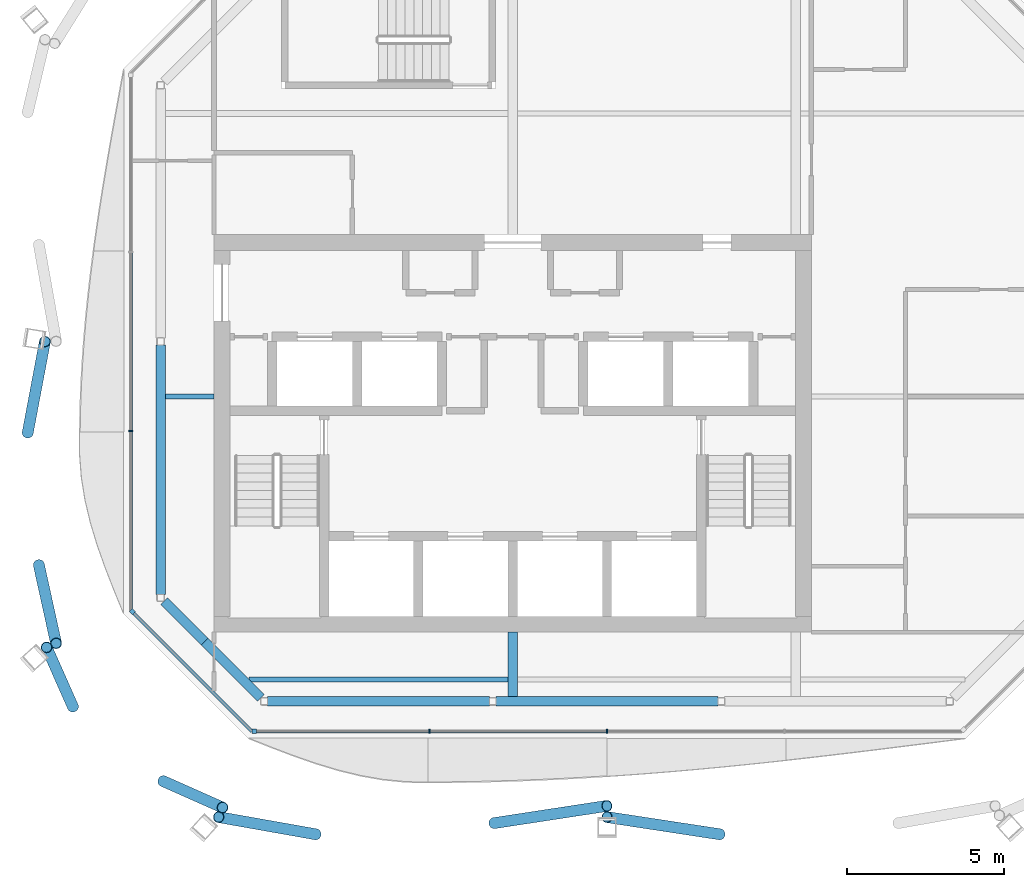
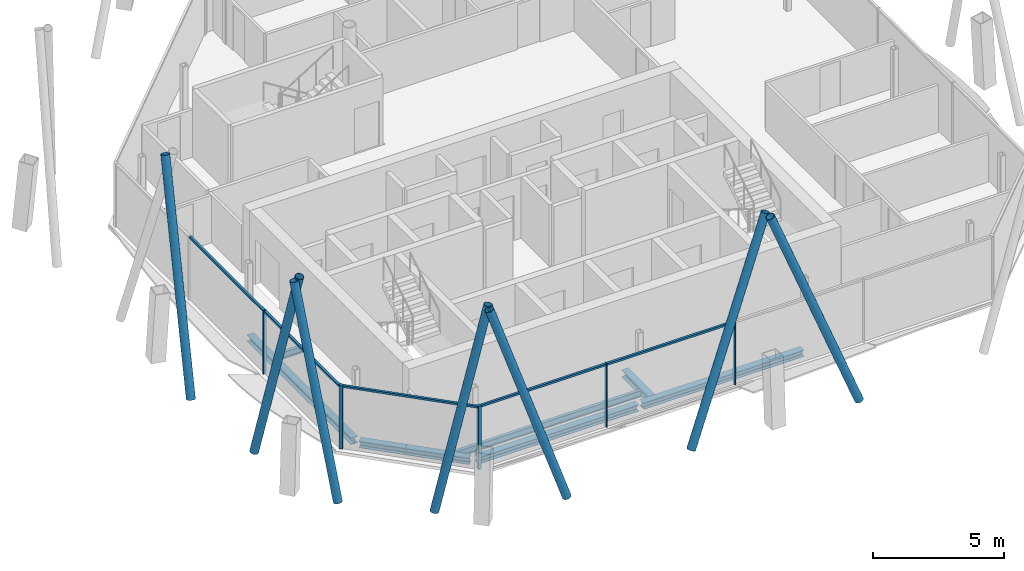
# One storey, part 3 of 14: 17 members, 8 beams, 3 elements without a shape of their own.
"""IFC4 building model written with IfcOpenShell, lengths in metres."""

from ifc_helpers import new_model, si_unit, direction, frame, origin, origin_2d, place, context, subcontext, project, spatial, rectangle, hollow_circle, i_section, extrude, material, material_profile, profile_set, type_object, element, aggregate, save


model = new_model("IFC4")

# Units and contexts
model_context = context("Model", 3, precision=1e-05, world=origin(), true_north=direction((0.0, 1.0)))
body_context = subcontext(model_context, "Body", "Model", "MODEL_VIEW")
ifc_project = project(units=[si_unit("LENGTHUNIT", "METRE"), si_unit("AREAUNIT", "SQUARE_METRE"), si_unit("VOLUMEUNIT", "CUBIC_METRE"), si_unit("PLANEANGLEUNIT", "RADIAN"), si_unit("MASSUNIT", "GRAM", prefix="KILO")], contexts=[model_context])

# Site, building, storey
site_placement = place(None, origin())
site = spatial("IfcSite", under=ifc_project, at=site_placement, CompositionType="ELEMENT")
building_placement = place(site_placement, origin())
building = spatial("IfcBuilding", under=site, at=building_placement, Name="Tskaro Facet Tower", CompositionType="ELEMENT")
storey_placement = place(building_placement, frame((0.0, 0.0, 287.85009765625)))
storey = spatial("IfcBuildingStorey", under=building, at=storey_placement, Name="L77", CompositionType="ELEMENT", Elevation=287.85009765625)

# Members
ifc_material_1 = material(Name="Steel S355J2H", Category="steel")
ifc_material_profile_1 = material_profile(ifc_material_1, hollow_circle(Radius=0.177734375, WallThickness=0.01611328125, at=origin_2d()), Name="CHS 355.6x16")
ifc_profile_set_1 = profile_set([ifc_material_profile_1], Name="Steel S355J2H")
member_type_1 = type_object("IfcMemberType", Name="CHS 355.6x16 brace", PredefinedType="BRACE", material=ifc_profile_set_1)
member_1_placement = place(storey_placement, frame((-0.5888671875, -18.072021484375, 0.0), z_axis=(0.3545147062, 0.05411775515, 0.933483043052), x_axis=(-0.150904921329, 0.98854828143, 0.0)))
element("IfcMember", 1, at=member_1_placement, inside=storey, type_object=member_type_1, Name="CHS 355.6x16 XB01A/6", PredefinedType="BRACE", context=body_context, shape_type="SweptSolid", body=[
    extrude(hollow_circle(Radius=0.177734375, WallThickness=0.01611328125, at=origin_2d()), origin(), (0.0, 0.0, 1.0), 10.123291015625),
])
member_2_placement = place(storey_placement, frame((-6.265380859375, -18.427490234375, 0.0), z_axis=(-0.310197408472, 0.054997453735, 0.949080000769), x_axis=(-0.174575605168, -0.984643772174, 0.0)))
element("IfcMember", 2, at=member_2_placement, inside=storey, type_object=member_type_1, Name="CHS 355.6x16 XB01B/6", PredefinedType="BRACE", context=body_context, shape_type="SweptSolid", body=[
    extrude(hollow_circle(Radius=0.177734375, WallThickness=0.01611328125, at=origin_2d()), origin(), (0.0, 0.0, 1.0), 9.95703125),
])
member_3_placement = place(storey_placement, frame((6.5888671875, -18.427490234375, 0.0), z_axis=(-0.354515168788, 0.054093709088, 0.933484261108), x_axis=(-0.150839203541, -0.988558311216, 0.0)))
element("IfcMember", 3, at=member_3_placement, inside=storey, type_object=member_type_1, Name="CHS 355.6x16 XB02B/6", PredefinedType="BRACE", context=body_context, shape_type="SweptSolid", body=[
    extrude(hollow_circle(Radius=0.177734375, WallThickness=0.01611328125, at=origin_2d()), origin(), (0.0, 0.0, 1.0), 10.123291015625),
])
member_4_placement = place(storey_placement, frame((-15.072021484375, -9.863525390625, 0.0), z_axis=(0.05597197434, -0.254443008127, 0.965466671462), x_axis=(0.976648886415, 0.2148416921, 0.0)))
element("IfcMember", 4, at=member_4_placement, inside=storey, type_object=member_type_1, Name="CHS 355.6x16 XB11A/6", PredefinedType="BRACE", context=body_context, shape_type="SweptSolid", body=[
    extrude(hollow_circle(Radius=0.177734375, WallThickness=0.01611328125, at=origin_2d()), origin(), (0.0, 0.0, 1.0), 9.787841796875),
])
member_5_placement = place(storey_placement, frame((-15.427490234375, -5.6513671875, 0.0), z_axis=(0.055311233561, 0.293053365866, 0.954494836129), x_axis=(-0.982650566439, 0.185466612296, 0.0)))
element("IfcMember", 5, at=member_5_placement, inside=storey, type_object=member_type_1, Name="CHS 355.6x16 XB11B/6", PredefinedType="BRACE", context=body_context, shape_type="SweptSolid", body=[
    extrude(hollow_circle(Radius=0.177734375, WallThickness=0.01611328125, at=origin_2d()), origin(), (0.0, 0.0, 1.0), 9.900390625),
])
for number, where, z_axis, x_axis, name in (
    (6, (-11.113037109375, -16.739501953125, 0.0), (0.194861626099, -0.08650139801, 0.977008932823), (0.40573198476, 0.913992098731, 0.0), "CHS 355.6x16 XB12A/6"),
    (7, (-13.990966796875, -14.364501953125, 0.0), (-0.08650139801, 0.194861626099, 0.977008932823), (-0.913992098731, -0.40573198476, 0.0), "CHS 355.6x16 XB12B/6"),
):
    element("IfcMember", number, at=place(storey_placement, frame(where, z_axis=z_axis, x_axis=x_axis)), inside=storey, type_object=member_type_1, Name=name, PredefinedType="BRACE", context=body_context, shape_type="SweptSolid", body=[
        extrude(hollow_circle(Radius=0.177734375, WallThickness=0.01611328125, at=origin_2d()), origin(), (0.0, 0.0, 1.0), 9.67236328125),
    ])

# Curtain wall, member
ifc_material_2 = material(Name="Bronze anodised aluminium 6063-T6", Category="aluminium")
curtain_wall_type = type_object("IfcCurtainWallType", Name="Bronze residence curtain wall (FW3)", PredefinedType="NOTDEFINED", material=ifc_material_2)
curtain_wall_1_placement = place(storey_placement, origin())
curtain_wall_1 = element("IfcCurtainWall", 8, at=curtain_wall_1_placement, inside=storey, type_object=curtain_wall_type, Name="FW3 south facet L77", PredefinedType="NOTDEFINED")
ifc_material_profile_2 = material_profile(ifc_material_2, rectangle(XDim=0.139892578125, YDim=0.139892578125, at=origin_2d()), Name="Corner post 140x140")
ifc_profile_set_2 = profile_set([ifc_material_profile_2], Name="Bronze anodised aluminium 6063-T6")
member_type_2 = type_object("IfcMemberType", Name="FW3 bronze corner post 140x140", PredefinedType="MULLION", material=ifc_profile_set_2)
member_6_placement = place(storey_placement, frame((-8.22607421875, -15.14990234375, 0.0), z_axis=(0.0, 0.0, 1.0), x_axis=(1.0, 0.0, 0.0)))
member_6 = element("IfcMember", 9, at=member_6_placement, type_object=member_type_2, Name="FW3 south corner post", PredefinedType="MULLION", context=body_context, shape_type="SweptSolid", body=[
    extrude(rectangle(XDim=0.139892578125, YDim=0.139892578125, at=origin_2d()), origin(), (0.0, 0.0, 1.0), 2.949951171875),
])

curtain_wall_2_placement = place(storey_placement, origin())
curtain_wall_2 = element("IfcCurtainWall", 10, at=curtain_wall_2_placement, inside=storey, type_object=curtain_wall_type, Name="FW3 south-west facet L77", PredefinedType="NOTDEFINED")
member_7_placement = place(storey_placement, frame((-12.1005859375, -11.345458984375, 0.0), z_axis=(0.0, 0.0, 1.0), x_axis=(0.707106781187, -0.707106781187, 0.0)))
member_7 = element("IfcMember", 11, at=member_7_placement, type_object=member_type_2, Name="FW3 south-west corner post", PredefinedType="MULLION", context=body_context, shape_type="SweptSolid", body=[
    extrude(rectangle(XDim=0.139892578125, YDim=0.139892578125, at=origin_2d()), origin(), (0.0, 0.0, 1.0), 2.949951171875),
])

# Member
ifc_material_profile_3 = material_profile(ifc_material_2, rectangle(XDim=0.050048828125, YDim=0.139892578125, at=origin_2d()), Name="Mullion 50x140")
ifc_profile_set_3 = profile_set([ifc_material_profile_3], Name="Bronze anodised aluminium 6063-T6")
member_type_3 = type_object("IfcMemberType", Name="FW3 bronze mullion 50x140", PredefinedType="MULLION", material=ifc_profile_set_3)
member_8_placement = place(storey_placement, frame((-2.64794921875, -15.14990234375, 0.0), z_axis=(0.0, 0.0, 1.0), x_axis=(1.0, 0.0, 0.0)))
member_8 = element("IfcMember", 12, at=member_8_placement, type_object=member_type_3, Name="FW3 south mullion 1", PredefinedType="MULLION", context=body_context, shape_type="SweptSolid", body=[
    extrude(rectangle(XDim=0.050048828125, YDim=0.139892578125, at=origin_2d()), origin(), (0.0, 0.0, 1.0), 2.949951171875),
])

member_9_placement = place(storey_placement, frame((3.0, -15.14990234375, 0.0), z_axis=(0.0, 0.0, 1.0), x_axis=(1.0, 0.0, 0.0)))
member_9 = element("IfcMember", 13, at=member_9_placement, type_object=member_type_3, Name="FW3 south mullion 2", PredefinedType="MULLION", context=body_context, shape_type="SweptSolid", body=[
    extrude(rectangle(XDim=0.050048828125, YDim=0.139892578125, at=origin_2d()), origin(), (0.0, 0.0, 1.0), 2.949951171875),
])

# Curtain wall, member
curtain_wall_3_placement = place(storey_placement, origin())
curtain_wall_3 = element("IfcCurtainWall", 14, at=curtain_wall_3_placement, inside=storey, type_object=curtain_wall_type, Name="FW3 west facet L77", PredefinedType="NOTDEFINED")
member_10_placement = place(storey_placement, frame((-12.14990234375, -5.5986328125, 0.0), z_axis=(0.0, 0.0, 1.0), x_axis=(0.0, -1.0, 0.0)))
member_10 = element("IfcMember", 15, at=member_10_placement, type_object=member_type_3, Name="FW3 west mullion 2", PredefinedType="MULLION", context=body_context, shape_type="SweptSolid", body=[
    extrude(rectangle(XDim=0.050048828125, YDim=0.139892578125, at=origin_2d()), origin(), (0.0, 0.0, 1.0), 2.949951171875),
])

# Member
ifc_material_profile_4 = material_profile(ifc_material_2, rectangle(XDim=0.10009765625, YDim=0.090087890625, at=origin_2d()), Name="Transom 100x90")
ifc_profile_set_4 = profile_set([ifc_material_profile_4], Name="Bronze anodised aluminium 6063-T6")
member_type_4 = type_object("IfcMemberType", Name="FW3 bronze transom 100x90", PredefinedType="USERDEFINED", material=ifc_profile_set_4)
member_11_placement = place(storey_placement, frame((-8.156005859375, -15.14990234375, 2.90478515625), z_axis=(1.0, 0.0, 0.0), x_axis=(0.0, 1.0, 0.0)))
member_11 = element("IfcMember", 16, at=member_11_placement, type_object=member_type_4, Name="FW3 south transom 1.1", ObjectType="TRANSOM", PredefinedType="USERDEFINED", context=body_context, shape_type="SweptSolid", body=[
    extrude(rectangle(XDim=0.10009765625, YDim=0.090087890625, at=origin_2d()), origin(), (0.0, 0.0, 1.0), 5.48291015625),
])

member_12_placement = place(storey_placement, frame((-2.623046875, -15.14990234375, 2.90478515625), z_axis=(1.0, 0.0, 0.0), x_axis=(0.0, 1.0, 0.0)))
member_12 = element("IfcMember", 17, at=member_12_placement, type_object=member_type_4, Name="FW3 south transom 2.1", ObjectType="TRANSOM", PredefinedType="USERDEFINED", context=body_context, shape_type="SweptSolid", body=[
    extrude(rectangle(XDim=0.10009765625, YDim=0.090087890625, at=origin_2d()), origin(), (0.0, 0.0, 1.0), 5.59814453125),
])

aggregate(curtain_wall_1, [member_6, member_8, member_9, member_11, member_12])

member_13_placement = place(storey_placement, frame((-12.14990234375, 0.07373046875, 2.90478515625), z_axis=(0.0, -1.0, 0.0), x_axis=(1.0, 0.0, 0.0)))
member_13 = element("IfcMember", 18, at=member_13_placement, type_object=member_type_4, Name="FW3 west transom 2.1", ObjectType="TRANSOM", PredefinedType="USERDEFINED", context=body_context, shape_type="SweptSolid", body=[
    extrude(rectangle(XDim=0.10009765625, YDim=0.090087890625, at=origin_2d()), origin(), (0.0, 0.0, 1.0), 5.6474609375),
])

member_14_placement = place(storey_placement, frame((-12.14990234375, -5.623779296875, 2.90478515625), z_axis=(0.0, -1.0, 0.0), x_axis=(1.0, 0.0, 0.0)))
member_14 = element("IfcMember", 19, at=member_14_placement, type_object=member_type_4, Name="FW3 west transom 3.1", ObjectType="TRANSOM", PredefinedType="USERDEFINED", context=body_context, shape_type="SweptSolid", body=[
    extrude(rectangle(XDim=0.10009765625, YDim=0.090087890625, at=origin_2d()), origin(), (0.0, 0.0, 1.0), 5.672119140625),
])

aggregate(curtain_wall_3, [member_10, member_13, member_14])

member_15_placement = place(storey_placement, frame((-12.051025390625, -11.39501953125, 2.90478515625), z_axis=(0.707129767932, -0.707083793693, 0.0), x_axis=(0.707083793693, 0.707129767932, 0.0)))
member_15 = element("IfcMember", 20, at=member_15_placement, type_object=member_type_4, Name="FW3 south-west transom 1.1", ObjectType="TRANSOM", PredefinedType="USERDEFINED", context=body_context, shape_type="SweptSolid", body=[
    extrude(rectangle(XDim=0.10009765625, YDim=0.090087890625, at=origin_2d()), origin(), (0.0, 0.0, 1.0), 5.310302734375),
])

aggregate(curtain_wall_2, [member_7, member_15])

# Beams
ifc_material_3 = material(Name="Steel S355J2", Category="steel")
ifc_material_profile_5 = material_profile(ifc_material_3, i_section(OverallWidth=0.300048828125, OverallDepth=0.300048828125, WebThickness=0.010986328125, FlangeThickness=0.01904296875, FilletRadius=0.027099609375, at=origin_2d()), Name="HE 300 B")
ifc_profile_set_5 = profile_set([ifc_material_profile_5], Name="Steel S355J2")
beam_type_1 = type_object("IfcBeamType", Name="HE 300 B ring beam", PredefinedType="BEAM", material=ifc_profile_set_5)
beam_1_placement = place(storey_placement, frame((-7.798095703125, -14.199951171875, -0.2900390625), z_axis=(1.0, 0.0, 0.0), x_axis=(0.0, 1.0, 0.0)))
element("IfcBeam", 21, at=beam_1_placement, inside=storey, type_object=beam_type_1, Name="HE 300 B EB1-6", PredefinedType="BEAM", context=body_context, shape_type="SweptSolid", body=[
    extrude(i_section(OverallWidth=0.300048828125, OverallDepth=0.300048828125, WebThickness=0.010986328125, FlangeThickness=0.01904296875, FilletRadius=0.027099609375, at=origin_2d()), origin(), (0.0, 0.0, 1.0), 7.05908203125),
])
beam_2_placement = place(storey_placement, frame((-0.529052734375, -14.199951171875, -0.2900390625), z_axis=(1.0, 0.0, 0.0), x_axis=(0.0, 1.0, 0.0)))
element("IfcBeam", 22, at=beam_2_placement, inside=storey, type_object=beam_type_1, Name="HE 300 B EB2-6", PredefinedType="BEAM", context=body_context, shape_type="SweptSolid", body=[
    extrude(i_section(OverallWidth=0.300048828125, OverallDepth=0.300048828125, WebThickness=0.010986328125, FlangeThickness=0.01904296875, FilletRadius=0.027099609375, at=origin_2d()), origin(), (0.0, 0.0, 1.0), 7.05810546875),
])
beam_3_placement = place(storey_placement, frame((-11.199951171875, -2.85498046875, -0.2900390625), z_axis=(0.0, -1.0, 0.0), x_axis=(1.0, 0.0, 0.0)))
element("IfcBeam", 23, at=beam_3_placement, inside=storey, type_object=beam_type_1, Name="HE 300 B EB14-6", PredefinedType="BEAM", context=body_context, shape_type="SweptSolid", body=[
    extrude(i_section(OverallWidth=0.300048828125, OverallDepth=0.300048828125, WebThickness=0.010986328125, FlangeThickness=0.01904296875, FilletRadius=0.027099609375, at=origin_2d()), origin(), (0.0, 0.0, 1.0), 7.943115234375),
])
beam_4_placement = place(storey_placement, frame((-11.089111328125, -11.013916015625, -0.2900390625), z_axis=(0.707106781187, -0.707106781187, 0.0), x_axis=(0.707106781187, 0.707106781187, 0.0)))
element("IfcBeam", 24, at=beam_4_placement, inside=storey, type_object=beam_type_1, Name="HE 300 B EB15a-6", PredefinedType="BEAM", context=body_context, shape_type="SweptSolid", body=[
    extrude(i_section(OverallWidth=0.300048828125, OverallDepth=0.300048828125, WebThickness=0.010986328125, FlangeThickness=0.01904296875, FilletRadius=0.027099609375, at=origin_2d()), origin(), (0.0, 0.0, 1.0), 1.821044921875),
])
beam_5_placement = place(storey_placement, frame((-9.801513671875, -12.301513671875, -0.2900390625), z_axis=(0.707106781187, -0.707106781187, 0.0), x_axis=(0.707106781187, 0.707106781187, 0.0)))
element("IfcBeam", 25, at=beam_5_placement, inside=storey, type_object=beam_type_1, Name="HE 300 B EB15b-6", PredefinedType="BEAM", context=body_context, shape_type="SweptSolid", body=[
    extrude(i_section(OverallWidth=0.300048828125, OverallDepth=0.300048828125, WebThickness=0.010986328125, FlangeThickness=0.01904296875, FilletRadius=0.027099609375, at=origin_2d()), origin(), (0.0, 0.0, 1.0), 2.528076171875),
])
ifc_material_profile_6 = material_profile(ifc_material_3, i_section(OverallWidth=0.300048828125, OverallDepth=0.330078125, WebThickness=0.009521484375, FlangeThickness=0.0166015625, FilletRadius=0.027099609375, at=origin_2d()), Name="HE 340 A")
ifc_profile_set_6 = profile_set([ifc_material_profile_6], Name="Steel S355J2")
beam_type_2 = type_object("IfcBeamType", Name="HE 340 A girder", PredefinedType="BEAM", material=ifc_profile_set_6)
beam_6_placement = place(storey_placement, frame((0.0, -14.050048828125, -0.30517578125), z_axis=(0.0, 1.0, 0.0), x_axis=(-1.0, 0.0, 0.0)))
element("IfcBeam", 26, at=beam_6_placement, inside=storey, type_object=beam_type_2, Name="HE 340 A GB4-1-6", PredefinedType="BEAM", context=body_context, shape_type="SweptSolid", body=[
    extrude(i_section(OverallWidth=0.300048828125, OverallDepth=0.330078125, WebThickness=0.009521484375, FlangeThickness=0.0166015625, FilletRadius=0.027099609375, at=origin_2d()), origin(), (0.0, 0.0, 1.0), 2.050048828125),
])
ifc_material_profile_7 = material_profile(ifc_material_3, i_section(OverallWidth=0.14990234375, OverallDepth=0.300048828125, WebThickness=0.007080078125, FlangeThickness=0.0107421875, FilletRadius=0.014892578125, at=origin_2d()), Name="IPE 300")
ifc_profile_set_7 = profile_set([ifc_material_profile_7], Name="Steel S355J2")
beam_type_3 = type_object("IfcBeamType", Name="IPE 300 secondary beam", PredefinedType="BEAM", material=ifc_profile_set_7)
beam_7_placement = place(storey_placement, frame((-8.39111328125, -13.5, -0.2900390625), z_axis=(1.0, 0.0, 0.0), x_axis=(0.0, 1.0, 0.0)))
element("IfcBeam", 27, at=beam_7_placement, inside=storey, type_object=beam_type_3, Name="IPE 300 SB2a-1-6", PredefinedType="BEAM", context=body_context, shape_type="SweptSolid", body=[
    extrude(i_section(OverallWidth=0.14990234375, OverallDepth=0.300048828125, WebThickness=0.007080078125, FlangeThickness=0.0107421875, FilletRadius=0.014892578125, at=origin_2d()), origin(), (0.0, 0.0, 1.0), 8.2412109375),
])
beam_8_placement = place(storey_placement, frame((-11.050048828125, -4.5, -0.2900390625), z_axis=(1.0, 0.0, 0.0), x_axis=(0.0, 1.0, 0.0)))
element("IfcBeam", 28, at=beam_8_placement, inside=storey, type_object=beam_type_3, Name="IPE 300 SB3a-1-6", PredefinedType="BEAM", context=body_context, shape_type="SweptSolid", body=[
    extrude(i_section(OverallWidth=0.14990234375, OverallDepth=0.300048828125, WebThickness=0.007080078125, FlangeThickness=0.0107421875, FilletRadius=0.014892578125, at=origin_2d()), origin(), (0.0, 0.0, 1.0), 1.550048828125),
])

save(model, "model.ifc")
